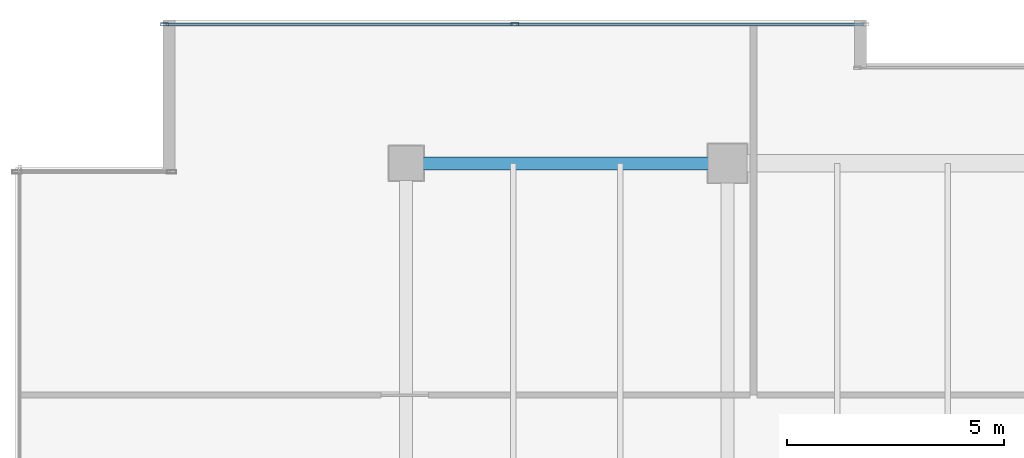
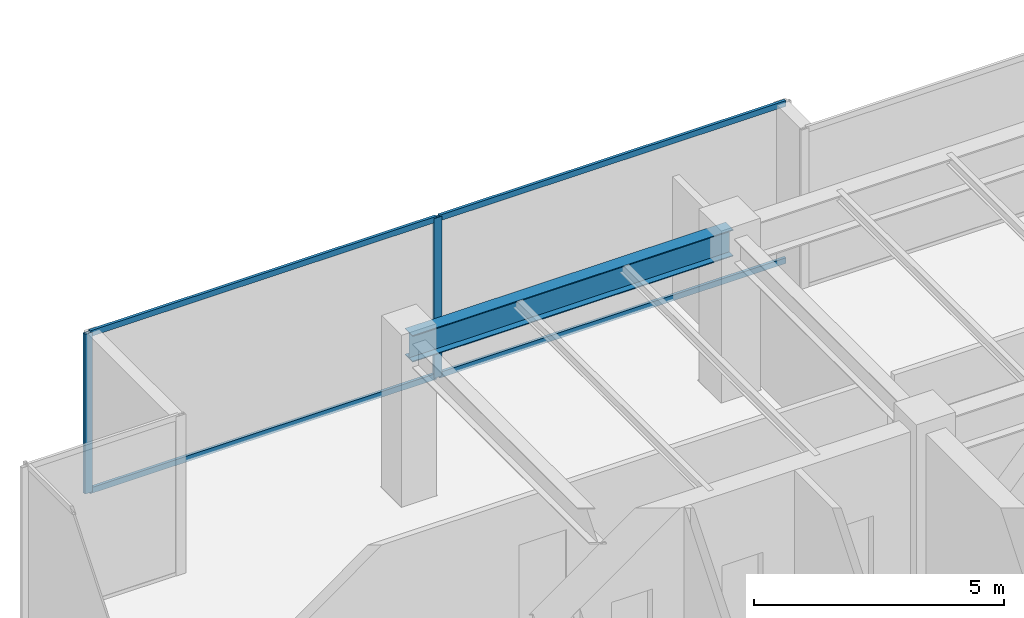
# One storey, part 19 of 32: 6 members, 1 beam, 1 element without a shape of its own.
"""IFC4 building model written with IfcOpenShell, lengths in metres."""

from ifc_helpers import new_model, si_unit, direction, frame, origin, origin_2d, place, context, subcontext, project, spatial, hollow_rectangle, i_section, extrude, source, transform, mapped, material, layer, layer_set, material_profile, profile_set, type_object, type_shapes, element, aggregate, save


model = new_model("IFC4")

# Units and contexts
model_context = context("Model", 3, precision=1e-05, world=origin(), true_north=direction((0.0, 1.0)))
body_context = subcontext(model_context, "Body", "Model", "MODEL_VIEW")
ifc_project = project(units=[si_unit("LENGTHUNIT", "METRE"), si_unit("AREAUNIT", "SQUARE_METRE"), si_unit("VOLUMEUNIT", "CUBIC_METRE"), si_unit("PLANEANGLEUNIT", "RADIAN"), si_unit("MASSUNIT", "GRAM", prefix="KILO")], contexts=[model_context])

# Site, building, storey
site_placement = place(None, origin())
site = spatial("IfcSite", under=ifc_project, at=site_placement, CompositionType="ELEMENT")
building_placement = place(site_placement, origin())
building = spatial("IfcBuilding", under=site, at=building_placement, Name="Haelvirn Gate Laboratories", CompositionType="ELEMENT")
storey_placement = place(building_placement, frame((0.0, 0.0, 314.39990234375)))
storey = spatial("IfcBuildingStorey", under=building, at=storey_placement, Name="L75", CompositionType="ELEMENT", Elevation=314.39990234375)

# Beam
ifc_material_1 = material(Name="Steel SM355", Category="steel")
ifc_material_profile_1 = material_profile(ifc_material_1, i_section(OverallWidth=0.300048828125, OverallDepth=0.64990234375, WebThickness=0.012939453125, FlangeThickness=0.02197265625, at=origin_2d()), Name="H-650x300x13x22")
ifc_profile_set_1 = profile_set([ifc_material_profile_1], Name="Steel SM355")
beam_type = type_object("IfcBeamType", Name="BM-G-650", PredefinedType="BEAM", material=ifc_profile_set_1)
shared_shape_1 = source(origin(), body_context, "Body", "SweptSolid", [
    extrude(i_section(OverallWidth=0.300048828125, OverallDepth=0.64990234375, WebThickness=0.012939453125, FlangeThickness=0.02197265625, at=origin_2d()), origin(), (0.0, 0.0, 1.0), 7.39990234375),
])
type_shapes(beam_type, [shared_shape_1])
beam_placement = place(storey_placement, frame((14.800048828125, 41.60009765625, 3.5751953125), z_axis=(1.0, 0.0, 0.0), x_axis=(0.0, 1.0, 0.0)))
element("IfcBeam", 1, at=beam_placement, inside=storey, type_object=beam_type, Name="L75 Primary Girder Y41.6 (14.8-22.2)", PredefinedType="BEAM", context=body_context, shape_type="MappedRepresentation", body=[
    mapped(shared_shape_1, transform((0.0, 0.0, 0.0), scale=1.0)),
])

# Curtain wall, members
ifc_material_2 = material(Name="Anodised bronze unitised aluminium & triple low-E glass", Category="aluminium")
ifc_layer = layer(ifc_material_2, 0.176025390625, Name="CW-SYS-4")
ifc_layer_set = layer_set([ifc_layer], Name="Anodised bronze unitised aluminium & triple low-E glass")
curtain_wall_type = type_object("IfcCurtainWallType", Name="CW-SYS-4", PredefinedType="NOTDEFINED", material=ifc_layer_set)
curtain_wall_placement = place(storey_placement, origin())
curtain_wall = element("IfcCurtainWall", 2, at=curtain_wall_placement, inside=storey, type_object=curtain_wall_type, Name="L75 Unitised Curtain Wall CW-L75-P0-E14-1", PredefinedType="NOTDEFINED")
ifc_material_3 = material(Name="Extruded aluminium 6063-T6 (anodised bronze)", Category="aluminium")
ifc_material_profile_2 = material_profile(ifc_material_3, hollow_rectangle(XDim=0.06494140625, YDim=0.139892578125, WallThickness=0.00390625, at=origin_2d()), Name="CWT-140x65x4")
ifc_profile_set_2 = profile_set([ifc_material_profile_2], Name="Extruded aluminium 6063-T6 (anodised bronze)")
member_type_1 = type_object("IfcMemberType", Name="CWT-T140", PredefinedType="USERDEFINED", material=ifc_profile_set_2)
shared_shape_2 = source(origin(), body_context, "Body", "SweptSolid", [
    extrude(hollow_rectangle(XDim=0.06494140625, YDim=0.139892578125, WallThickness=0.00390625, at=origin_2d()), origin(), (0.0, 0.0, 1.0), 7.9951171875),
])
member_1_placement = place(storey_placement, frame((17.3349609375, 44.800048828125, 0.03271484375), z_axis=(1.0, 0.0, 0.0), x_axis=(0.0, 1.0, 0.0)))
member_1 = element("IfcMember", 3, at=member_1_placement, type_object=member_type_1, Name="CW4 transom 2.1", ObjectType="TRANSOM", PredefinedType="USERDEFINED", context=body_context, shape_type="MappedRepresentation", body=[
    mapped(shared_shape_2, transform((0.0, 0.0, 0.0), scale=1.0)),
])
member_2_placement = place(storey_placement, frame((17.3349609375, 44.800048828125, 3.86767578125), z_axis=(1.0, 0.0, 0.0), x_axis=(0.0, 1.0, 0.0)))
member_2 = element("IfcMember", 4, at=member_2_placement, type_object=member_type_1, Name="CW4 transom 2.2", ObjectType="TRANSOM", PredefinedType="USERDEFINED", context=body_context, shape_type="MappedRepresentation", body=[
    mapped(shared_shape_2, transform((0.0, 0.0, 0.0), scale=1.0)),
])
shared_shape_3 = source(origin(), body_context, "Body", "SweptSolid", [
    extrude(hollow_rectangle(XDim=0.06494140625, YDim=0.139892578125, WallThickness=0.00390625, at=origin_2d()), origin(), (0.0, 0.0, 1.0), 7.994873046875),
])
type_shapes(member_type_1, [shared_shape_2, shared_shape_3])
member_3_placement = place(storey_placement, frame((9.27001953125, 44.800048828125, 0.03271484375), z_axis=(1.0, 0.0, 0.0), x_axis=(0.0, 1.0, 0.0)))
member_3 = element("IfcMember", 5, at=member_3_placement, type_object=member_type_1, Name="CW4 transom 1.1", ObjectType="TRANSOM", PredefinedType="USERDEFINED", context=body_context, shape_type="MappedRepresentation", body=[
    mapped(shared_shape_3, transform((0.0, 0.0, 0.0), scale=1.0)),
])
member_4_placement = place(storey_placement, frame((9.27001953125, 44.800048828125, 3.86767578125), z_axis=(1.0, 0.0, 0.0), x_axis=(0.0, 1.0, 0.0)))
member_4 = element("IfcMember", 6, at=member_4_placement, type_object=member_type_1, Name="CW4 transom 1.2", ObjectType="TRANSOM", PredefinedType="USERDEFINED", context=body_context, shape_type="MappedRepresentation", body=[
    mapped(shared_shape_3, transform((0.0, 0.0, 0.0), scale=1.0)),
])
ifc_material_profile_3 = material_profile(ifc_material_3, hollow_rectangle(XDim=0.070068359375, YDim=0.179931640625, WallThickness=0.0048828125, at=origin_2d()), Name="CWM-180x70x5")
ifc_profile_set_3 = profile_set([ifc_material_profile_3], Name="Extruded aluminium 6063-T6 (anodised bronze)")
member_type_2 = type_object("IfcMemberType", Name="CWM-T180", PredefinedType="MULLION", material=ifc_profile_set_3)
shared_shape_4 = source(origin(), body_context, "Body", "SweptSolid", [
    extrude(hollow_rectangle(XDim=0.070068359375, YDim=0.179931640625, WallThickness=0.0048828125, at=origin_2d()), origin(), (0.0, 0.0, 1.0), 3.900146484375),
])
type_shapes(member_type_2, [shared_shape_4])
member_5_placement = place(storey_placement, frame((9.235107421875, 44.800048828125, 0.0), z_axis=(0.0, 0.0, 1.0), x_axis=(0.0, 1.0, 0.0)))
member_5 = element("IfcMember", 7, at=member_5_placement, type_object=member_type_2, Name="CW4 mullion 1", PredefinedType="MULLION", context=body_context, shape_type="MappedRepresentation", body=[
    mapped(shared_shape_4, transform((0.0, 0.0, 0.0), scale=1.0)),
])
member_6_placement = place(storey_placement, frame((17.300048828125, 44.800048828125, 0.0), z_axis=(0.0, 0.0, 1.0), x_axis=(0.0, 1.0, 0.0)))
member_6 = element("IfcMember", 8, at=member_6_placement, type_object=member_type_2, Name="CW4 mullion 2", PredefinedType="MULLION", context=body_context, shape_type="MappedRepresentation", body=[
    mapped(shared_shape_4, transform((0.0, 0.0, 0.0), scale=1.0)),
])
aggregate(curtain_wall, [member_5, member_6, member_3, member_4, member_1, member_2])

save(model, "model.ifc")
